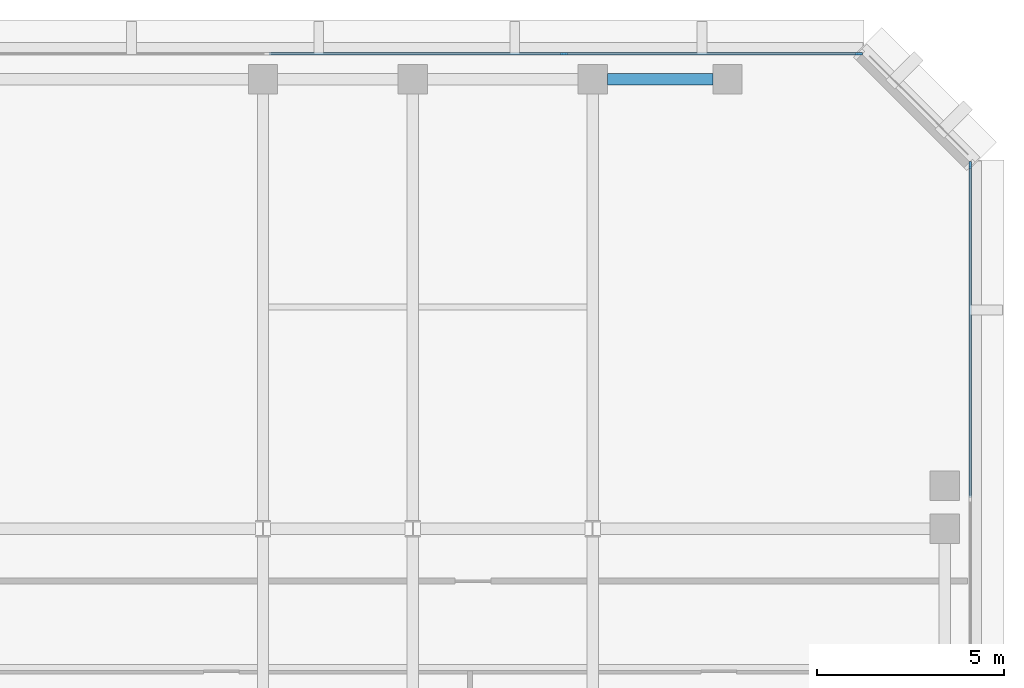
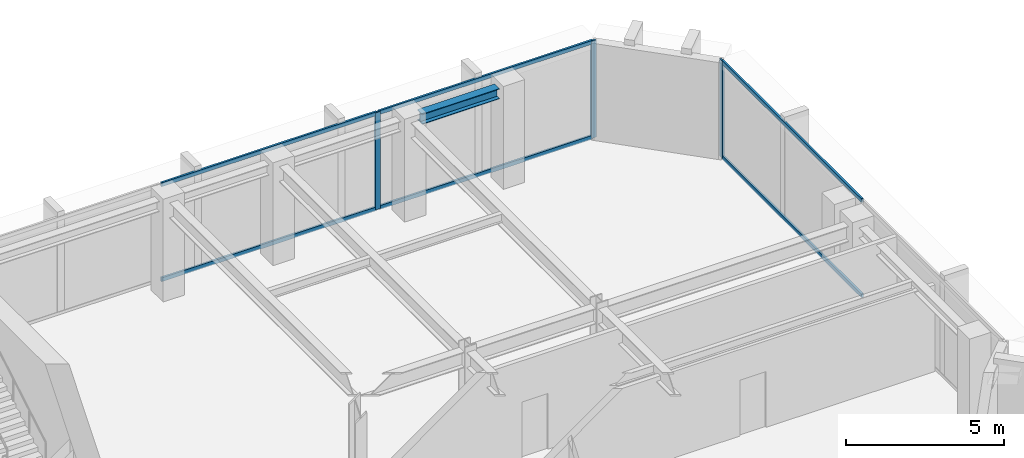
# One storey, part 5 of 12: 9 members, 1 beam, 2 elements without a shape of their own.
"""IFC4 building model written with IfcOpenShell, lengths in metres."""

from ifc_helpers import new_model, si_unit, direction, frame, origin, origin_2d, place, context, subcontext, project, spatial, rectangle, i_section, extrude, material, layer, layer_set, material_profile, profile_set, type_object, element, aggregate, save


model = new_model("IFC4")

# Units and contexts
model_context = context("Model", 3, precision=1e-05, world=origin(), true_north=direction((0.0, 1.0)))
body_context = subcontext(model_context, "Body", "Model", "MODEL_VIEW")
ifc_project = project(units=[si_unit("LENGTHUNIT", "METRE"), si_unit("AREAUNIT", "SQUARE_METRE"), si_unit("VOLUMEUNIT", "CUBIC_METRE"), si_unit("PLANEANGLEUNIT", "RADIAN"), si_unit("MASSUNIT", "GRAM", prefix="KILO")], contexts=[model_context])

# Site, building, storey
site_placement = place(None, origin())
site = spatial("IfcSite", under=ifc_project, at=site_placement, CompositionType="ELEMENT")
building_placement = place(site_placement, origin())
building = spatial("IfcBuilding", under=site, at=building_placement, Name="Kefirva Bronze Tower", CompositionType="ELEMENT")
storey_placement = place(building_placement, frame((0.0, 0.0, 268.2900390625)))
storey = spatial("IfcBuildingStorey", under=building, at=storey_placement, Name="L65", CompositionType="ELEMENT", Elevation=268.2900390625)

# Curtain wall, member
ifc_material_1 = material(Name="Bronze anodised aluminium", Category="aluminium")
ifc_layer = layer(ifc_material_1, 0.179931640625, Name="Bronze anodised aluminium")
ifc_layer_set = layer_set([ifc_layer], Name="Bronze anodised aluminium")
curtain_wall_type = type_object("IfcCurtainWallType", Name="Unitised Bronze Ribbon Curtain Wall Zone 3", PredefinedType="USERDEFINED", material=ifc_layer_set)
curtain_wall_1_placement = place(storey_placement, origin())
curtain_wall_1 = element("IfcCurtainWall", 1, at=curtain_wall_1_placement, inside=storey, type_object=curtain_wall_type, Name="L65 Curtain Wall 3", ObjectType="UNITISED CURTAIN WALL", PredefinedType="USERDEFINED")
ifc_material_profile_1 = material_profile(ifc_material_1, rectangle(XDim=0.074951171875, YDim=0.179931640625, at=origin_2d()), Name="ALU 75x180")
ifc_profile_set_1 = profile_set([ifc_material_profile_1], Name="Bronze anodised aluminium")
member_type_1 = type_object("IfcMemberType", Name="Bronze Mullion 75x180", PredefinedType="MULLION", material=ifc_profile_set_1)
member_1_placement = place(storey_placement, frame((50.080078125, 42.907470703125, 0.0), z_axis=(0.0, 0.0, 1.0), x_axis=(-1.0, 0.0, 0.0)))
member_1 = element("IfcMember", 2, at=member_1_placement, type_object=member_type_1, Name="CW-03 mullion 3", PredefinedType="MULLION", context=body_context, shape_type="SweptSolid", body=[
    extrude(rectangle(XDim=0.074951171875, YDim=0.179931640625, at=origin_2d()), origin(), (0.0, 0.0, 1.0), 3.739990234375),
])

# Curtain wall, members
curtain_wall_2_placement = place(storey_placement, origin())
curtain_wall_2 = element("IfcCurtainWall", 3, at=curtain_wall_2_placement, inside=storey, type_object=curtain_wall_type, Name="L65 Curtain Wall 4", ObjectType="UNITISED CURTAIN WALL", PredefinedType="USERDEFINED")
member_2_placement = place(storey_placement, frame((47.107421875, 45.8798828125, 0.0), z_axis=(0.0, 0.0, 1.0), x_axis=(0.0, -1.0, 0.0)))
member_2 = element("IfcMember", 4, at=member_2_placement, type_object=member_type_1, Name="CW-03 mullion 1", PredefinedType="MULLION", context=body_context, shape_type="SweptSolid", body=[
    extrude(rectangle(XDim=0.074951171875, YDim=0.179931640625, at=origin_2d()), origin(), (0.0, 0.0, 1.0), 3.739990234375),
])
member_3_placement = place(storey_placement, frame((39.231689453125, 45.8798828125, 0.0), z_axis=(0.0, 0.0, 1.0), x_axis=(0.0, -1.0, 0.0)))
member_3 = element("IfcMember", 5, at=member_3_placement, type_object=member_type_1, Name="CW-03 mullion 2", PredefinedType="MULLION", context=body_context, shape_type="SweptSolid", body=[
    extrude(rectangle(XDim=0.074951171875, YDim=0.179931640625, at=origin_2d()), origin(), (0.0, 0.0, 1.0), 3.739990234375),
])

# Member
ifc_material_profile_2 = material_profile(ifc_material_1, rectangle(XDim=0.074951171875, YDim=0.14990234375, at=origin_2d()), Name="ALU 75x150")
ifc_profile_set_2 = profile_set([ifc_material_profile_2], Name="Bronze anodised aluminium")
member_type_2 = type_object("IfcMemberType", Name="Bronze Transom 75x150", PredefinedType="USERDEFINED", material=ifc_profile_set_2)
member_4_placement = place(storey_placement, frame((50.080078125, 34.03759765625, 0.037353515625), z_axis=(0.0, 1.0, 0.0), x_axis=(-1.0, 0.0, 0.0)))
member_4 = element("IfcMember", 6, at=member_4_placement, type_object=member_type_2, Name="CW-03 transom 2.1", ObjectType="TRANSOM", PredefinedType="USERDEFINED", context=body_context, shape_type="SweptSolid", body=[
    extrude(rectangle(XDim=0.074951171875, YDim=0.14990234375, at=origin_2d()), origin(), (0.0, 0.0, 1.0), 8.83251953125),
])

member_5_placement = place(storey_placement, frame((50.080078125, 34.03759765625, 3.702392578125), z_axis=(0.0, 1.0, 0.0), x_axis=(-1.0, 0.0, 0.0)))
member_5 = element("IfcMember", 7, at=member_5_placement, type_object=member_type_2, Name="CW-03 transom 2.2", ObjectType="TRANSOM", PredefinedType="USERDEFINED", context=body_context, shape_type="SweptSolid", body=[
    extrude(rectangle(XDim=0.074951171875, YDim=0.14990234375, at=origin_2d()), origin(), (0.0, 0.0, 1.0), 8.83251953125),
])

aggregate(curtain_wall_1, [member_1, member_4, member_5])

member_6_placement = place(storey_placement, frame((47.070068359375, 45.8798828125, 0.037353515625), z_axis=(-1.0, 0.0, 0.0), x_axis=(0.0, -1.0, 0.0)))
member_6 = element("IfcMember", 8, at=member_6_placement, type_object=member_type_2, Name="CW-03 transom 1.1", ObjectType="TRANSOM", PredefinedType="USERDEFINED", context=body_context, shape_type="SweptSolid", body=[
    extrude(rectangle(XDim=0.074951171875, YDim=0.14990234375, at=origin_2d()), origin(), (0.0, 0.0, 1.0), 7.80078125),
])

member_7_placement = place(storey_placement, frame((47.070068359375, 45.8798828125, 3.702392578125), z_axis=(-1.0, 0.0, 0.0), x_axis=(0.0, -1.0, 0.0)))
member_7 = element("IfcMember", 9, at=member_7_placement, type_object=member_type_2, Name="CW-03 transom 1.2", ObjectType="TRANSOM", PredefinedType="USERDEFINED", context=body_context, shape_type="SweptSolid", body=[
    extrude(rectangle(XDim=0.074951171875, YDim=0.14990234375, at=origin_2d()), origin(), (0.0, 0.0, 1.0), 7.80078125),
])

member_8_placement = place(storey_placement, frame((39.194091796875, 45.8798828125, 0.037353515625), z_axis=(-1.0, 0.0, 0.0), x_axis=(0.0, -1.0, 0.0)))
member_8 = element("IfcMember", 10, at=member_8_placement, type_object=member_type_2, Name="CW-03 transom 2.1", ObjectType="TRANSOM", PredefinedType="USERDEFINED", context=body_context, shape_type="SweptSolid", body=[
    extrude(rectangle(XDim=0.074951171875, YDim=0.14990234375, at=origin_2d()), origin(), (0.0, 0.0, 1.0), 7.83837890625),
])

member_9_placement = place(storey_placement, frame((39.194091796875, 45.8798828125, 3.702392578125), z_axis=(-1.0, 0.0, 0.0), x_axis=(0.0, -1.0, 0.0)))
member_9 = element("IfcMember", 11, at=member_9_placement, type_object=member_type_2, Name="CW-03 transom 2.2", ObjectType="TRANSOM", PredefinedType="USERDEFINED", context=body_context, shape_type="SweptSolid", body=[
    extrude(rectangle(XDim=0.074951171875, YDim=0.14990234375, at=origin_2d()), origin(), (0.0, 0.0, 1.0), 7.83837890625),
])

aggregate(curtain_wall_2, [member_2, member_3, member_6, member_7, member_8, member_9])

# Beam
ifc_material_2 = material(Name="Steel S355", Category="steel")
ifc_material_profile_3 = material_profile(ifc_material_2, i_section(OverallWidth=0.300048828125, OverallDepth=0.39990234375, WebThickness=0.013427734375, FlangeThickness=0.02392578125, at=origin_2d()), Name="HEB 400")
ifc_profile_set_3 = profile_set([ifc_material_profile_3], Name="Steel S355")
beam_type = type_object("IfcBeamType", Name="Steel Spandrel HEB 400 Ext", PredefinedType="SPANDREL", material=ifc_profile_set_3)
beam_placement = place(storey_placement, frame((40.389892578125, 45.199951171875, 3.5400390625), z_axis=(1.0, 0.0, 0.0), x_axis=(0.0, 1.0, 0.0)))
element("IfcBeam", 12, at=beam_placement, inside=storey, type_object=beam_type, Name="L65 BM-L65-EW-40-452", PredefinedType="SPANDREL", context=body_context, shape_type="SweptSolid", body=[
    extrude(i_section(OverallWidth=0.300048828125, OverallDepth=0.39990234375, WebThickness=0.013427734375, FlangeThickness=0.02392578125, at=origin_2d()), origin(), (0.0, 0.0, 1.0), 2.820068359375),
])

save(model, "model.ifc")
